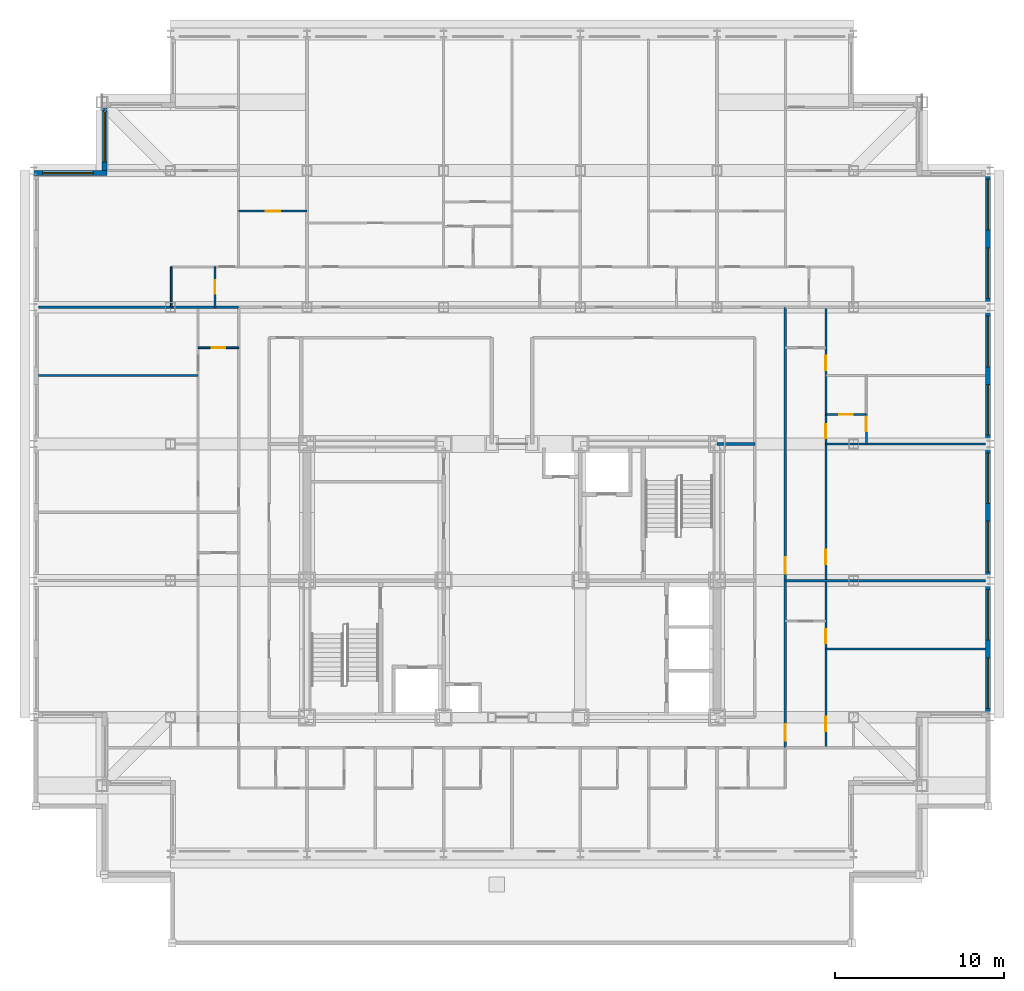
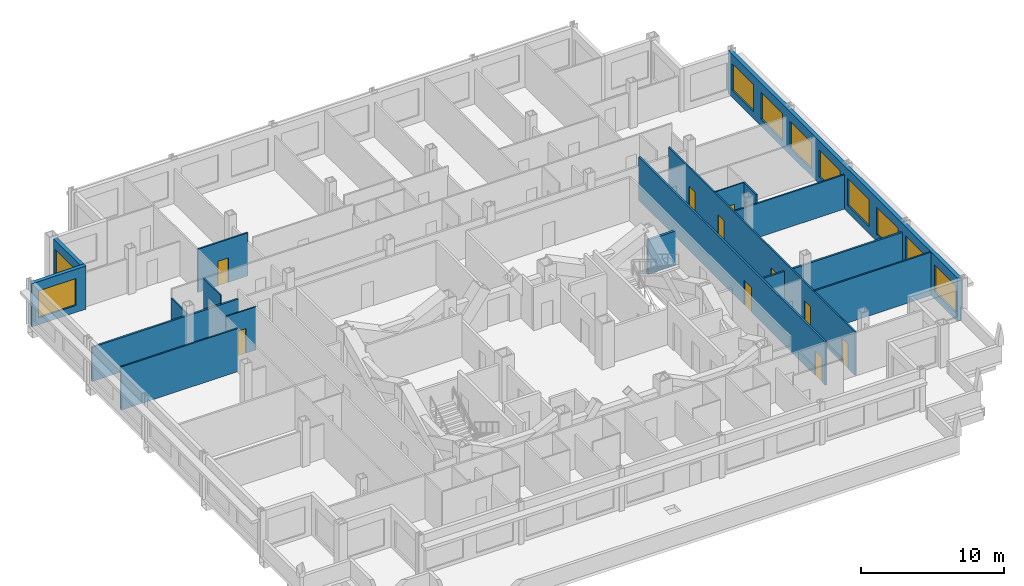
# One storey, part 11 of 15: 17 walls, 12 doors, 10 windows, 22 openings.
"""IFC4 building model written with IfcOpenShell, lengths in metres."""

from ifc_helpers import new_model, si_unit, direction, frame, frame_2d, origin, place, context, subcontext, project, spatial, rectangle, extrude, material, layer, layer_set, type_object, element, fill, save


model = new_model("IFC4")

# Units and contexts
model_context = context("Model", 3, precision=1e-05, world=origin(), true_north=direction((0.0, 1.0)))
body_context = subcontext(model_context, "Body", "Model", "MODEL_VIEW")
ifc_project = project(units=[si_unit("LENGTHUNIT", "METRE"), si_unit("AREAUNIT", "SQUARE_METRE"), si_unit("VOLUMEUNIT", "CUBIC_METRE"), si_unit("PLANEANGLEUNIT", "RADIAN"), si_unit("MASSUNIT", "GRAM", prefix="KILO")], contexts=[model_context])

# Site, building, storey
site_placement = place(None, origin())
site = spatial("IfcSite", under=ifc_project, at=site_placement, CompositionType="ELEMENT")
building_placement = place(site_placement, origin())
building = spatial("IfcBuilding", under=site, at=building_placement, Name="Kopane Lantern Tower", CompositionType="ELEMENT")
storey_placement = place(building_placement, frame((0.0, 0.0, 242.39990234375)))
storey = spatial("IfcBuildingStorey", under=building, at=storey_placement, Name="L62", CompositionType="ELEMENT", Elevation=242.39990234375)

# Wall
ifc_material_1 = material(Name="Gypsum board on steel studs", Category="steel")
ifc_layer_1 = layer(ifc_material_1, 0.1201171875)
ifc_layer_set_1 = layer_set([ifc_layer_1], Name="APARTMENT INTERNAL WALL 120")
wall_type_1 = type_object("IfcWallType", Name="APARTMENT INTERNAL WALL 120", PredefinedType="PARTITIONING", material=ifc_layer_set_1)
wall_1_placement = place(storey_placement, frame((9.75, 44.550048828125, 0.0), z_axis=(0.0, 0.0, 1.0), x_axis=(-1.0, 0.0, 0.0)))
element("IfcWall", 1, at=wall_1_placement, inside=storey, type_object=wall_type_1, Name="Apartment Internal Wall 120 L62", PredefinedType="PARTITIONING", context=body_context, shape_type="SweptSolid", body=[
    extrude(rectangle(XDim=9.449951171875, YDim=0.1201171875, at=frame_2d((4.72509765625, 0.0))), origin(), (0.0, 0.0, 1.0), 3.690185546875),
])

# Wall, openings, doors
wall_2_placement = place(storey_placement, frame((46.949951171875, 22.5, 0.0), z_axis=(0.0, 0.0, 1.0), x_axis=(0.0, 1.0, 0.0)))
wall_2 = element("IfcWall", 2, at=wall_2_placement, inside=storey, type_object=wall_type_1, Name="Apartment Internal Wall 120 L62", PredefinedType="PARTITIONING", context=body_context, shape_type="SweptSolid", body=[
    extrude(rectangle(XDim=26.10009765625, YDim=0.1201171875, at=frame_2d((13.050048828125, 0.0))), origin(), (0.0, 0.0, 1.0), 3.690185546875),
])
opening_1_placement = place(wall_2_placement, frame((0.97509765625, 0.0, 0.0)))
opening_1 = element("IfcOpeningElement", 3, at=opening_1_placement, cuts=wall_2, Name="Opening L62-039", PredefinedType="OPENING", context=body_context, shape_type="SweptSolid", body=[
    extrude(rectangle(XDim=0.85009765625, YDim=2.10009765625, at=frame_2d((0.425048828125, 1.050048828125))), frame((0.0, 0.070068359375, 0.0), z_axis=(0.0, -1.0, 0.0), x_axis=(1.0, 0.0, 0.0)), (0.0, 0.0, 1.0), 0.14013671875),
])
opening_2_placement = place(wall_2_placement, frame((6.175048828125, 0.0, 0.0)))
opening_2 = element("IfcOpeningElement", 4, at=opening_2_placement, cuts=wall_2, Name="Opening L62-040", PredefinedType="OPENING", context=body_context, shape_type="SweptSolid", body=[
    extrude(rectangle(XDim=0.85009765625, YDim=2.10009765625, at=frame_2d((0.425048828125, 1.050048828125))), frame((0.0, 0.070068359375, 0.0), z_axis=(0.0, -1.0, 0.0), x_axis=(1.0, 0.0, 0.0)), (0.0, 0.0, 1.0), 0.14013671875),
])
opening_3_placement = place(wall_2_placement, frame((10.875, 0.0, 0.0)))
opening_3 = element("IfcOpeningElement", 5, at=opening_3_placement, cuts=wall_2, Name="Opening L62-043", PredefinedType="OPENING", context=body_context, shape_type="SweptSolid", body=[
    extrude(rectangle(XDim=0.85009765625, YDim=2.10009765625, at=frame_2d((0.425048828125, 1.050048828125))), frame((0.0, 0.070068359375, 0.0), z_axis=(0.0, -1.0, 0.0), x_axis=(1.0, 0.0, 0.0)), (0.0, 0.0, 1.0), 0.14013671875),
])
opening_4_placement = place(wall_2_placement, frame((18.324951171875, 0.0, 0.0)))
opening_4 = element("IfcOpeningElement", 6, at=opening_4_placement, cuts=wall_2, Name="Opening L62-045", PredefinedType="OPENING", context=body_context, shape_type="SweptSolid", body=[
    extrude(rectangle(XDim=0.85009765625, YDim=2.10009765625, at=frame_2d((0.425048828125, 1.050048828125))), frame((0.0, 0.070068359375, 0.0), z_axis=(0.0, -1.0, 0.0), x_axis=(1.0, 0.0, 0.0)), (0.0, 0.0, 1.0), 0.14013671875),
])
opening_5_placement = place(wall_2_placement, frame((22.375, 0.0, 0.0)))
opening_5 = element("IfcOpeningElement", 7, at=opening_5_placement, cuts=wall_2, Name="Opening L62-046", PredefinedType="OPENING", context=body_context, shape_type="SweptSolid", body=[
    extrude(rectangle(XDim=0.85009765625, YDim=2.10009765625, at=frame_2d((0.425048828125, 1.050048828125))), frame((0.0, 0.070068359375, 0.0), z_axis=(0.0, -1.0, 0.0), x_axis=(1.0, 0.0, 0.0)), (0.0, 0.0, 1.0), 0.14013671875),
])
ifc_material_2 = material(Name="Timber door set", Category="wood")
door_type_1 = type_object("IfcDoorType", Name="DOOR D4 850x2100", OperationType="SINGLE_SWING_LEFT", PredefinedType="DOOR", material=ifc_material_2)
door_1_placement = place(opening_1_placement, origin())
door_1 = element("IfcDoor", 8, at=door_1_placement, inside=storey, type_object=door_type_1, Name="Door L62-039", OperationType="SINGLE_SWING_LEFT", OverallHeight=2.10009765625, OverallWidth=0.85009765625, PredefinedType="DOOR", context=body_context, shape_type="SweptSolid", body=[
    extrude(rectangle(XDim=0.85009765625, YDim=2.10009765625, at=frame_2d((0.425048828125, 1.050048828125))), frame((0.0, 0.02490234375, 0.0), z_axis=(0.0, -1.0, 0.0), x_axis=(1.0, 0.0, 0.0)), (0.0, 0.0, 1.0), 0.050048828125),
])
fill(opening_1, door_1)
door_2_placement = place(opening_2_placement, origin())
door_2 = element("IfcDoor", 9, at=door_2_placement, inside=storey, type_object=door_type_1, Name="Door L62-040", OperationType="SINGLE_SWING_RIGHT", OverallHeight=2.10009765625, OverallWidth=0.85009765625, PredefinedType="DOOR", context=body_context, shape_type="SweptSolid", body=[
    extrude(rectangle(XDim=0.85009765625, YDim=2.10009765625, at=frame_2d((0.425048828125, 1.050048828125))), frame((0.0, 0.02490234375, 0.0), z_axis=(0.0, -1.0, 0.0), x_axis=(1.0, 0.0, 0.0)), (0.0, 0.0, 1.0), 0.050048828125),
])
fill(opening_2, door_2)
door_3_placement = place(opening_3_placement, origin())
door_3 = element("IfcDoor", 10, at=door_3_placement, inside=storey, type_object=door_type_1, Name="Door L62-043", OperationType="SINGLE_SWING_RIGHT", OverallHeight=2.10009765625, OverallWidth=0.85009765625, PredefinedType="DOOR", context=body_context, shape_type="SweptSolid", body=[
    extrude(rectangle(XDim=0.85009765625, YDim=2.10009765625, at=frame_2d((0.425048828125, 1.050048828125))), frame((0.0, 0.02490234375, 0.0), z_axis=(0.0, -1.0, 0.0), x_axis=(1.0, 0.0, 0.0)), (0.0, 0.0, 1.0), 0.050048828125),
])
fill(opening_3, door_3)
door_4_placement = place(opening_4_placement, origin())
door_4 = element("IfcDoor", 11, at=door_4_placement, inside=storey, type_object=door_type_1, Name="Door L62-045", OperationType="SINGLE_SWING_RIGHT", OverallHeight=2.10009765625, OverallWidth=0.85009765625, PredefinedType="DOOR", context=body_context, shape_type="SweptSolid", body=[
    extrude(rectangle(XDim=0.85009765625, YDim=2.10009765625, at=frame_2d((0.425048828125, 1.050048828125))), frame((0.0, 0.02490234375, 0.0), z_axis=(0.0, -1.0, 0.0), x_axis=(1.0, 0.0, 0.0)), (0.0, 0.0, 1.0), 0.050048828125),
])
fill(opening_4, door_4)
door_5_placement = place(opening_5_placement, origin())
door_5 = element("IfcDoor", 12, at=door_5_placement, inside=storey, type_object=door_type_1, Name="Door L62-046", OperationType="SINGLE_SWING_RIGHT", OverallHeight=2.10009765625, OverallWidth=0.85009765625, PredefinedType="DOOR", context=body_context, shape_type="SweptSolid", body=[
    extrude(rectangle(XDim=0.85009765625, YDim=2.10009765625, at=frame_2d((0.425048828125, 1.050048828125))), frame((0.0, 0.02490234375, 0.0), z_axis=(0.0, -1.0, 0.0), x_axis=(1.0, 0.0, 0.0)), (0.0, 0.0, 1.0), 0.050048828125),
])
fill(opening_5, door_5)

# Walls
wall_3_placement = place(storey_placement, frame((46.949951171875, 28.35009765625, 0.0), z_axis=(0.0, 0.0, 1.0), x_axis=(1.0, 0.0, 0.0)))
element("IfcWall", 13, at=wall_3_placement, inside=storey, type_object=wall_type_1, Name="Apartment Internal Wall 120 L62", PredefinedType="PARTITIONING", context=body_context, shape_type="SweptSolid", body=[
    extrude(rectangle(XDim=9.449951171875, YDim=0.1201171875, at=frame_2d((4.72509765625, 0.0))), origin(), (0.0, 0.0, 1.0), 3.690185546875),
])
wall_4_placement = place(storey_placement, frame((46.949951171875, 40.5, 0.0), z_axis=(0.0, 0.0, 1.0), x_axis=(1.0, 0.0, 0.0)))
element("IfcWall", 14, at=wall_4_placement, inside=storey, type_object=wall_type_1, Name="Apartment Internal Wall 120 L62", PredefinedType="PARTITIONING", context=body_context, shape_type="SweptSolid", body=[
    extrude(rectangle(XDim=9.449951171875, YDim=0.1201171875, at=frame_2d((4.72509765625, 0.0))), origin(), (0.0, 0.0, 1.0), 2.927978515625),
])

# Wall, opening, door
wall_5_placement = place(storey_placement, frame((49.35009765625, 42.260009765625, 0.0), z_axis=(0.0, 0.0, 1.0), x_axis=(0.0, -1.0, 0.0)))
wall_5 = element("IfcWall", 15, at=wall_5_placement, inside=storey, type_object=wall_type_1, Name="Apartment Internal Wall 120 L62", PredefinedType="PARTITIONING", context=body_context, shape_type="SweptSolid", body=[
    extrude(rectangle(XDim=1.760009765625, YDim=0.1201171875, at=frame_2d((0.8798828125, 0.0))), origin(), (0.0, 0.0, 1.0), 3.690185546875),
])
opening_6_placement = place(wall_5_placement, frame((0.159912109375, 0.0, 0.0)))
opening_6 = element("IfcOpeningElement", 16, at=opening_6_placement, cuts=wall_5, Name="Opening L62-064", PredefinedType="OPENING", context=body_context, shape_type="SweptSolid", body=[
    extrude(rectangle(XDim=0.85009765625, YDim=2.10009765625, at=frame_2d((0.425048828125, 1.050048828125))), frame((0.0, 0.070068359375, 0.0), z_axis=(0.0, -1.0, 0.0), x_axis=(1.0, 0.0, 0.0)), (0.0, 0.0, 1.0), 0.14013671875),
])
door_6_placement = place(opening_6_placement, origin())
door_6 = element("IfcDoor", 17, at=door_6_placement, inside=storey, type_object=door_type_1, Name="Door L62-064", OperationType="SINGLE_SWING_RIGHT", OverallHeight=2.10009765625, OverallWidth=0.85009765625, PredefinedType="DOOR", context=body_context, shape_type="SweptSolid", body=[
    extrude(rectangle(XDim=0.85009765625, YDim=2.10009765625, at=frame_2d((0.425048828125, 1.050048828125))), frame((0.0, 0.02490234375, 0.0), z_axis=(0.0, -1.0, 0.0), x_axis=(1.0, 0.0, 0.0)), (0.0, 0.0, 1.0), 0.050048828125),
])
fill(opening_6, door_6)

wall_6_placement = place(storey_placement, frame((12.14990234375, 54.300048828125, 0.0), z_axis=(0.0, 0.0, 1.0), x_axis=(1.0, 0.0, 0.0)))
wall_6 = element("IfcWall", 18, at=wall_6_placement, inside=storey, type_object=wall_type_1, Name="Apartment Internal Wall 120 L62", PredefinedType="PARTITIONING", context=body_context, shape_type="SweptSolid", body=[
    extrude(rectangle(XDim=4.050048828125, YDim=0.1201171875, at=frame_2d((2.02490234375, 0.0))), origin(), (0.0, 0.0, 1.0), 3.690185546875),
])
opening_7_placement = place(wall_6_placement, frame((1.60009765625, 0.0, 0.0)))
opening_7 = element("IfcOpeningElement", 19, at=opening_7_placement, cuts=wall_6, Name="Opening L62-072", PredefinedType="OPENING", context=body_context, shape_type="SweptSolid", body=[
    extrude(rectangle(XDim=0.85009765625, YDim=2.10009765625, at=frame_2d((0.425048828125, 1.050048828125))), frame((0.0, 0.070068359375, 0.0), z_axis=(0.0, -1.0, 0.0), x_axis=(1.0, 0.0, 0.0)), (0.0, 0.0, 1.0), 0.14013671875),
])
door_7_placement = place(opening_7_placement, origin())
door_7 = element("IfcDoor", 20, at=door_7_placement, inside=storey, type_object=door_type_1, Name="Door L62-072", OperationType="SINGLE_SWING_RIGHT", OverallHeight=2.10009765625, OverallWidth=0.85009765625, PredefinedType="DOOR", context=body_context, shape_type="SweptSolid", body=[
    extrude(rectangle(XDim=0.85009765625, YDim=2.10009765625, at=frame_2d((0.425048828125, 1.050048828125))), frame((0.0, 0.02490234375, 0.0), z_axis=(0.0, -1.0, 0.0), x_axis=(1.0, 0.0, 0.0)), (0.0, 0.0, 1.0), 0.050048828125),
])
fill(opening_7, door_7)

ifc_material_3 = material(Name="Moisture-resistant board on steel studs", Category="steel")
ifc_layer_2 = layer(ifc_material_3, 0.10009765625)
ifc_layer_set_2 = layer_set([ifc_layer_2], Name="BATHROOM WALL 100")
wall_type_2 = type_object("IfcWallType", Name="BATHROOM WALL 100", PredefinedType="PARTITIONING", material=ifc_layer_set_2)
wall_7_placement = place(storey_placement, frame((12.14990234375, 46.199951171875, 0.0), z_axis=(0.0, 0.0, 1.0), x_axis=(-1.0, 0.0, 0.0)))
wall_7 = element("IfcWall", 21, at=wall_7_placement, inside=storey, type_object=wall_type_2, Name="Bathroom Wall 100 L62", PredefinedType="PARTITIONING", context=body_context, shape_type="SweptSolid", body=[
    extrude(rectangle(XDim=2.39990234375, YDim=0.10009765625, at=frame_2d((1.199951171875, 0.0))), origin(), (0.0, 0.0, 1.0), 3.690185546875),
])
opening_8_placement = place(wall_7_placement, frame((0.800048828125, 0.0, 0.0)))
opening_8 = element("IfcOpeningElement", 22, at=opening_8_placement, cuts=wall_7, Name="Opening L62-033", PredefinedType="OPENING", context=body_context, shape_type="SweptSolid", body=[
    extrude(rectangle(XDim=0.800048828125, YDim=2.10009765625, at=frame_2d((0.39990234375, 1.050048828125))), frame((0.0, 0.06005859375, 0.0), z_axis=(0.0, -1.0, 0.0), x_axis=(1.0, 0.0, 0.0)), (0.0, 0.0, 1.0), 0.1201171875),
])
ifc_material_4 = material(Name="Timber door set", Category="wood")
door_type_2 = type_object("IfcDoorType", Name="DOOR D2 800x2100", OperationType="SINGLE_SWING_LEFT", PredefinedType="DOOR", material=ifc_material_4)
door_8_placement = place(opening_8_placement, origin())
door_8 = element("IfcDoor", 23, at=door_8_placement, inside=storey, type_object=door_type_2, Name="Door L62-033", OperationType="SINGLE_SWING_RIGHT", OverallHeight=2.10009765625, OverallWidth=0.800048828125, PredefinedType="DOOR", context=body_context, shape_type="SweptSolid", body=[
    extrude(rectangle(XDim=0.800048828125, YDim=2.10009765625, at=frame_2d((0.39990234375, 1.050048828125))), frame((0.0, 0.02490234375, 0.0), z_axis=(0.0, -1.0, 0.0), x_axis=(1.0, 0.0, 0.0)), (0.0, 0.0, 1.0), 0.050048828125),
])
fill(opening_8, door_8)

wall_8_placement = place(storey_placement, frame((46.949951171875, 42.25, 0.0), z_axis=(0.0, 0.0, 1.0), x_axis=(1.0, 0.0, 0.0)))
wall_8 = element("IfcWall", 24, at=wall_8_placement, inside=storey, type_object=wall_type_2, Name="Bathroom Wall 100 L62", PredefinedType="PARTITIONING", context=body_context, shape_type="SweptSolid", body=[
    extrude(rectangle(XDim=2.400146484375, YDim=0.10009765625, at=frame_2d((1.2001953125, 0.0))), origin(), (0.0, 0.0, 1.0), 3.690185546875),
])
opening_9_placement = place(wall_8_placement, frame((0.800048828125, 0.0, 0.0)))
opening_9 = element("IfcOpeningElement", 25, at=opening_9_placement, cuts=wall_8, Name="Opening L62-044", PredefinedType="OPENING", context=body_context, shape_type="SweptSolid", body=[
    extrude(rectangle(XDim=0.800048828125, YDim=2.10009765625, at=frame_2d((0.39990234375, 1.050048828125))), frame((0.0, 0.06005859375, 0.0), z_axis=(0.0, -1.0, 0.0), x_axis=(1.0, 0.0, 0.0)), (0.0, 0.0, 1.0), 0.1201171875),
])
door_9_placement = place(opening_9_placement, origin())
door_9 = element("IfcDoor", 26, at=door_9_placement, inside=storey, type_object=door_type_2, Name="Door L62-044", OperationType="SINGLE_SWING_LEFT", OverallHeight=2.10009765625, OverallWidth=0.800048828125, PredefinedType="DOOR", context=body_context, shape_type="SweptSolid", body=[
    extrude(rectangle(XDim=0.800048828125, YDim=2.10009765625, at=frame_2d((0.39990234375, 1.050048828125))), frame((0.0, 0.02490234375, 0.0), z_axis=(0.0, -1.0, 0.0), x_axis=(1.0, 0.0, 0.0)), (0.0, 0.0, 1.0), 0.050048828125),
])
fill(opening_9, door_9)

wall_9_placement = place(storey_placement, frame((10.75, 48.60009765625, 0.0), z_axis=(0.0, 0.0, 1.0), x_axis=(0.0, 1.0, 0.0)))
wall_9 = element("IfcWall", 27, at=wall_9_placement, inside=storey, type_object=wall_type_2, Name="Bathroom Wall 100 L62", PredefinedType="PARTITIONING", context=body_context, shape_type="SweptSolid", body=[
    extrude(rectangle(XDim=2.39990234375, YDim=0.10009765625, at=frame_2d((1.199951171875, 0.0))), origin(), (0.0, 0.0, 1.0), 3.690185546875),
])
opening_10_placement = place(wall_9_placement, frame((0.800048828125, 0.0, 0.0)))
opening_10 = element("IfcOpeningElement", 28, at=opening_10_placement, cuts=wall_9, Name="Opening L62-060", PredefinedType="OPENING", context=body_context, shape_type="SweptSolid", body=[
    extrude(rectangle(XDim=0.800048828125, YDim=2.10009765625, at=frame_2d((0.39990234375, 1.050048828125))), frame((0.0, 0.06005859375, 0.0), z_axis=(0.0, -1.0, 0.0), x_axis=(1.0, 0.0, 0.0)), (0.0, 0.0, 1.0), 0.1201171875),
])
door_10_placement = place(opening_10_placement, origin())
door_10 = element("IfcDoor", 29, at=door_10_placement, inside=storey, type_object=door_type_2, Name="Door L62-060", OperationType="SINGLE_SWING_LEFT", OverallHeight=2.10009765625, OverallWidth=0.800048828125, PredefinedType="DOOR", context=body_context, shape_type="SweptSolid", body=[
    extrude(rectangle(XDim=0.800048828125, YDim=2.10009765625, at=frame_2d((0.39990234375, 1.050048828125))), frame((0.0, 0.02490234375, 0.0), z_axis=(0.0, -1.0, 0.0), x_axis=(1.0, 0.0, 0.0)), (0.0, 0.0, 1.0), 0.050048828125),
])
fill(opening_10, door_10)

# Wall
wall_10_placement = place(storey_placement, frame((8.14990234375, 48.60009765625, 0.0), z_axis=(0.0, 0.0, 1.0), x_axis=(0.0, 1.0, 0.0)))
element("IfcWall", 30, at=wall_10_placement, inside=storey, type_object=wall_type_2, Name="Bathroom Wall 100 L62", PredefinedType="PARTITIONING", context=body_context, shape_type="SweptSolid", body=[
    extrude(rectangle(XDim=2.39990234375, YDim=0.10009765625, at=frame_2d((1.199951171875, 0.0))), origin(), (0.0, 0.0, 1.0), 2.927978515625),
])

# Wall, openings, doors
ifc_material_5 = material(Name="Gypsum board on steel studs", Category="steel")
ifc_layer_3 = layer(ifc_material_5, 0.14990234375)
ifc_layer_set_3 = layer_set([ifc_layer_3], Name="CORRIDOR WALL 150 EI 60")
wall_type_3 = type_object("IfcWallType", Name="CORRIDOR WALL 150 EI 60", PredefinedType="PARTITIONING", material=ifc_layer_set_3)
wall_11_placement = place(storey_placement, frame((44.550048828125, 22.5, 0.0), z_axis=(0.0, 0.0, 1.0), x_axis=(0.0, 1.0, 0.0)))
wall_11 = element("IfcWall", 31, at=wall_11_placement, inside=storey, type_object=wall_type_3, Name="Corridor Wall 150 Ei 60 L62", PredefinedType="PARTITIONING", context=body_context, shape_type="SweptSolid", body=[
    extrude(rectangle(XDim=26.10009765625, YDim=0.14990234375, at=frame_2d((13.050048828125, 0.0))), origin(), (0.0, 0.0, 1.0), 3.690185546875),
])
opening_11_placement = place(wall_11_placement, frame((0.39990234375, 0.0, 0.0)))
opening_11 = element("IfcOpeningElement", 32, at=opening_11_placement, cuts=wall_11, Name="Opening L62-038", PredefinedType="OPENING", context=body_context, shape_type="SweptSolid", body=[
    extrude(rectangle(XDim=1.0, YDim=2.10009765625, at=frame_2d((0.5, 1.050048828125))), frame((0.0, 0.0849609375, 0.0), z_axis=(0.0, -1.0, 0.0), x_axis=(1.0, 0.0, 0.0)), (0.0, 0.0, 1.0), 0.169921875),
])
opening_12_placement = place(wall_11_placement, frame((10.300048828125, 0.0, 0.0)))
opening_12 = element("IfcOpeningElement", 33, at=opening_12_placement, cuts=wall_11, Name="Opening L62-042", PredefinedType="OPENING", context=body_context, shape_type="SweptSolid", body=[
    extrude(rectangle(XDim=1.0, YDim=2.10009765625, at=frame_2d((0.5, 1.050048828125))), frame((0.0, 0.0849609375, 0.0), z_axis=(0.0, -1.0, 0.0), x_axis=(1.0, 0.0, 0.0)), (0.0, 0.0, 1.0), 0.169921875),
])
ifc_material_6 = material(Name="Steel door set", Category="steel")
door_type_3 = type_object("IfcDoorType", Name="DOOR D3 1000x2100 FD30S", OperationType="SINGLE_SWING_LEFT", PredefinedType="DOOR", material=ifc_material_6)
door_11_placement = place(opening_11_placement, origin())
door_11 = element("IfcDoor", 34, at=door_11_placement, inside=storey, type_object=door_type_3, Name="Door L62-038", OperationType="SINGLE_SWING_RIGHT", OverallHeight=2.10009765625, OverallWidth=1.0, PredefinedType="DOOR", context=body_context, shape_type="SweptSolid", body=[
    extrude(rectangle(XDim=1.0, YDim=2.10009765625, at=frame_2d((0.5, 1.050048828125))), frame((0.0, 0.02490234375, 0.0), z_axis=(0.0, -1.0, 0.0), x_axis=(1.0, 0.0, 0.0)), (0.0, 0.0, 1.0), 0.050048828125),
])
fill(opening_11, door_11)
door_12_placement = place(opening_12_placement, origin())
door_12 = element("IfcDoor", 35, at=door_12_placement, inside=storey, type_object=door_type_3, Name="Door L62-042", OperationType="SINGLE_SWING_RIGHT", OverallHeight=2.10009765625, OverallWidth=1.0, PredefinedType="DOOR", context=body_context, shape_type="SweptSolid", body=[
    extrude(rectangle(XDim=1.0, YDim=2.10009765625, at=frame_2d((0.5, 1.050048828125))), frame((0.0, 0.02490234375, 0.0), z_axis=(0.0, -1.0, 0.0), x_axis=(1.0, 0.0, 0.0)), (0.0, 0.0, 1.0), 0.050048828125),
])
fill(opening_12, door_12)

# Walls
ifc_material_7 = material(Name="Gypsum board on steel studs", Category="steel")
ifc_layer_4 = layer(ifc_material_7, 0.14990234375)
ifc_layer_set_4 = layer_set([ifc_layer_4], Name="DEMISING WALL 150 EI 60")
wall_type_4 = type_object("IfcWallType", Name="DEMISING WALL 150 EI 60", PredefinedType="PARTITIONING", material=ifc_layer_set_4)
for number, where, z_axis, x_axis, name in (
    (36, (44.550048828125, 32.39990234375, 0.0), (0.0, 0.0, 1.0), (1.0, 0.0, 0.0), "Demising Wall 150 Ei 60 L62"),
    (37, (0.300048828125, 48.60009765625, 0.0), (0.0, 0.0, 1.0), (1.0, 0.0, 0.0), "Demising Wall 150 Ei 60 L62"),
):
    element("IfcWall", number, at=place(storey_placement, frame(where, z_axis=z_axis, x_axis=x_axis)), inside=storey, type_object=wall_type_4, Name=name, PredefinedType="PARTITIONING", context=body_context, shape_type="SweptSolid", body=[
        extrude(rectangle(XDim=11.849853515625, YDim=0.14990234375, at=frame_2d((5.9248046875, 0.0))), origin(), (0.0, 0.0, 1.0), 2.927978515625),
    ])

# Wall, openings, windows
ifc_material_8 = material(Name="Terracotta rainscreen on light steel framing", Category="masonry")
ifc_layer_5 = layer(ifc_material_8, 0.300048828125)
ifc_layer_set_5 = layer_set([ifc_layer_5], Name="EXTERNAL WALL EW1 300 TERRACOTTA")
wall_type_5 = type_object("IfcWallType", Name="EXTERNAL WALL EW1 300 TERRACOTTA", PredefinedType="SOLIDWALL", material=ifc_layer_set_5)
wall_12_placement = place(storey_placement, frame((56.550048828125, 24.60009765625, 0.0), z_axis=(0.0, 0.0, 1.0), x_axis=(0.0, 1.0, 0.0)))
wall_12 = element("IfcWall", 38, at=wall_12_placement, inside=storey, type_object=wall_type_5, Name="External wall E L62", PredefinedType="SOLIDWALL", context=body_context, shape_type="SweptSolid", body=[
    extrude(rectangle(XDim=32.099853515625, YDim=0.300048828125, at=frame_2d((16.0498046875, 0.0))), origin(), (0.0, 0.0, 1.0), 3.690185546875),
])
opening_13_placement = place(wall_12_placement, frame((0.22509765625, 0.0, 0.60009765625)))
opening_13 = element("IfcOpeningElement", 39, at=opening_13_placement, cuts=wall_12, Name="Opening WR300230", PredefinedType="OPENING", context=body_context, shape_type="SweptSolid", body=[
    extrude(rectangle(XDim=3.0, YDim=2.300048828125, at=frame_2d((1.5, 1.14990234375))), frame((0.0, 0.159912109375, 0.0), z_axis=(0.0, -1.0, 0.0), x_axis=(1.0, 0.0, 0.0)), (0.0, 0.0, 1.0), 0.320068359375),
])
opening_14_placement = place(wall_12_placement, frame((4.27490234375, 0.0, 0.60009765625)))
opening_14 = element("IfcOpeningElement", 40, at=opening_14_placement, cuts=wall_12, Name="Opening WR300230", PredefinedType="OPENING", context=body_context, shape_type="SweptSolid", body=[
    extrude(rectangle(XDim=3.0, YDim=2.300048828125, at=frame_2d((1.5, 1.14990234375))), frame((0.0, 0.159912109375, 0.0), z_axis=(0.0, -1.0, 0.0), x_axis=(1.0, 0.0, 0.0)), (0.0, 0.0, 1.0), 0.320068359375),
])
opening_15_placement = place(wall_12_placement, frame((8.324951171875, 0.0, 0.60009765625)))
opening_15 = element("IfcOpeningElement", 41, at=opening_15_placement, cuts=wall_12, Name="Opening WR300230", PredefinedType="OPENING", context=body_context, shape_type="SweptSolid", body=[
    extrude(rectangle(XDim=3.0, YDim=2.300048828125, at=frame_2d((1.5, 1.14990234375))), frame((0.0, 0.159912109375, 0.0), z_axis=(0.0, -1.0, 0.0), x_axis=(1.0, 0.0, 0.0)), (0.0, 0.0, 1.0), 0.320068359375),
])
opening_16_placement = place(wall_12_placement, frame((12.375, 0.0, 0.60009765625)))
opening_16 = element("IfcOpeningElement", 42, at=opening_16_placement, cuts=wall_12, Name="Opening WR300230", PredefinedType="OPENING", context=body_context, shape_type="SweptSolid", body=[
    extrude(rectangle(XDim=3.0, YDim=2.300048828125, at=frame_2d((1.5, 1.14990234375))), frame((0.0, 0.159912109375, 0.0), z_axis=(0.0, -1.0, 0.0), x_axis=(1.0, 0.0, 0.0)), (0.0, 0.0, 1.0), 0.320068359375),
])
opening_17_placement = place(wall_12_placement, frame((16.425048828125, 0.0, 0.60009765625)))
opening_17 = element("IfcOpeningElement", 43, at=opening_17_placement, cuts=wall_12, Name="Opening WR300230", PredefinedType="OPENING", context=body_context, shape_type="SweptSolid", body=[
    extrude(rectangle(XDim=3.0, YDim=2.300048828125, at=frame_2d((1.5, 1.14990234375))), frame((0.0, 0.159912109375, 0.0), z_axis=(0.0, -1.0, 0.0), x_axis=(1.0, 0.0, 0.0)), (0.0, 0.0, 1.0), 0.320068359375),
])
opening_18_placement = place(wall_12_placement, frame((20.47509765625, 0.0, 0.60009765625)))
opening_18 = element("IfcOpeningElement", 44, at=opening_18_placement, cuts=wall_12, Name="Opening WR300230", PredefinedType="OPENING", context=body_context, shape_type="SweptSolid", body=[
    extrude(rectangle(XDim=3.0, YDim=2.300048828125, at=frame_2d((1.5, 1.14990234375))), frame((0.0, 0.159912109375, 0.0), z_axis=(0.0, -1.0, 0.0), x_axis=(1.0, 0.0, 0.0)), (0.0, 0.0, 1.0), 0.320068359375),
])
opening_19_placement = place(wall_12_placement, frame((24.52490234375, 0.0, 0.60009765625)))
opening_19 = element("IfcOpeningElement", 45, at=opening_19_placement, cuts=wall_12, Name="Opening WR300230", PredefinedType="OPENING", context=body_context, shape_type="SweptSolid", body=[
    extrude(rectangle(XDim=3.0, YDim=2.300048828125, at=frame_2d((1.5, 1.14990234375))), frame((0.0, 0.159912109375, 0.0), z_axis=(0.0, -1.0, 0.0), x_axis=(1.0, 0.0, 0.0)), (0.0, 0.0, 1.0), 0.320068359375),
])
opening_20_placement = place(wall_12_placement, frame((28.574951171875, 0.0, 0.60009765625)))
opening_20 = element("IfcOpeningElement", 46, at=opening_20_placement, cuts=wall_12, Name="Opening WR300230", PredefinedType="OPENING", context=body_context, shape_type="SweptSolid", body=[
    extrude(rectangle(XDim=3.0, YDim=2.300048828125, at=frame_2d((1.5, 1.14990234375))), frame((0.0, 0.159912109375, 0.0), z_axis=(0.0, -1.0, 0.0), x_axis=(1.0, 0.0, 0.0)), (0.0, 0.0, 1.0), 0.320068359375),
])
ifc_material_9 = material(Name="Aluminium and clear glass", Category="aluminium")
window_type = type_object("IfcWindowType", Name="RIBBON WINDOW WR300230 3000x2300", PartitioningType="SINGLE_PANEL", PredefinedType="WINDOW", material=ifc_material_9)
window_1_placement = place(opening_13_placement, origin())
window_1 = element("IfcWindow", 47, at=window_1_placement, inside=storey, type_object=window_type, Name="Window E L62", OverallHeight=2.300048828125, OverallWidth=3.0, PartitioningType="SINGLE_PANEL", PredefinedType="WINDOW", context=body_context, shape_type="SweptSolid", body=[
    extrude(rectangle(XDim=3.0, YDim=2.300048828125, at=frame_2d((1.5, 1.14990234375))), frame((0.0, 0.030029296875, 0.0), z_axis=(0.0, -1.0, 0.0), x_axis=(1.0, 0.0, 0.0)), (0.0, 0.0, 1.0), 0.06005859375),
])
fill(opening_13, window_1)
window_2_placement = place(opening_14_placement, origin())
window_2 = element("IfcWindow", 48, at=window_2_placement, inside=storey, type_object=window_type, Name="Window E L62", OverallHeight=2.300048828125, OverallWidth=3.0, PartitioningType="SINGLE_PANEL", PredefinedType="WINDOW", context=body_context, shape_type="SweptSolid", body=[
    extrude(rectangle(XDim=3.0, YDim=2.300048828125, at=frame_2d((1.5, 1.14990234375))), frame((0.0, 0.030029296875, 0.0), z_axis=(0.0, -1.0, 0.0), x_axis=(1.0, 0.0, 0.0)), (0.0, 0.0, 1.0), 0.06005859375),
])
fill(opening_14, window_2)
window_3_placement = place(opening_15_placement, origin())
window_3 = element("IfcWindow", 49, at=window_3_placement, inside=storey, type_object=window_type, Name="Window E L62", OverallHeight=2.300048828125, OverallWidth=3.0, PartitioningType="SINGLE_PANEL", PredefinedType="WINDOW", context=body_context, shape_type="SweptSolid", body=[
    extrude(rectangle(XDim=3.0, YDim=2.300048828125, at=frame_2d((1.5, 1.14990234375))), frame((0.0, 0.030029296875, 0.0), z_axis=(0.0, -1.0, 0.0), x_axis=(1.0, 0.0, 0.0)), (0.0, 0.0, 1.0), 0.06005859375),
])
fill(opening_15, window_3)
window_4_placement = place(opening_16_placement, origin())
window_4 = element("IfcWindow", 50, at=window_4_placement, inside=storey, type_object=window_type, Name="Window E L62", OverallHeight=2.300048828125, OverallWidth=3.0, PartitioningType="SINGLE_PANEL", PredefinedType="WINDOW", context=body_context, shape_type="SweptSolid", body=[
    extrude(rectangle(XDim=3.0, YDim=2.300048828125, at=frame_2d((1.5, 1.14990234375))), frame((0.0, 0.030029296875, 0.0), z_axis=(0.0, -1.0, 0.0), x_axis=(1.0, 0.0, 0.0)), (0.0, 0.0, 1.0), 0.06005859375),
])
fill(opening_16, window_4)
window_5_placement = place(opening_17_placement, origin())
window_5 = element("IfcWindow", 51, at=window_5_placement, inside=storey, type_object=window_type, Name="Window E L62", OverallHeight=2.300048828125, OverallWidth=3.0, PartitioningType="SINGLE_PANEL", PredefinedType="WINDOW", context=body_context, shape_type="SweptSolid", body=[
    extrude(rectangle(XDim=3.0, YDim=2.300048828125, at=frame_2d((1.5, 1.14990234375))), frame((0.0, 0.030029296875, 0.0), z_axis=(0.0, -1.0, 0.0), x_axis=(1.0, 0.0, 0.0)), (0.0, 0.0, 1.0), 0.06005859375),
])
fill(opening_17, window_5)
window_6_placement = place(opening_18_placement, origin())
window_6 = element("IfcWindow", 52, at=window_6_placement, inside=storey, type_object=window_type, Name="Window E L62", OverallHeight=2.300048828125, OverallWidth=3.0, PartitioningType="SINGLE_PANEL", PredefinedType="WINDOW", context=body_context, shape_type="SweptSolid", body=[
    extrude(rectangle(XDim=3.0, YDim=2.300048828125, at=frame_2d((1.5, 1.14990234375))), frame((0.0, 0.030029296875, 0.0), z_axis=(0.0, -1.0, 0.0), x_axis=(1.0, 0.0, 0.0)), (0.0, 0.0, 1.0), 0.06005859375),
])
fill(opening_18, window_6)
window_7_placement = place(opening_19_placement, origin())
window_7 = element("IfcWindow", 53, at=window_7_placement, inside=storey, type_object=window_type, Name="Window E L62", OverallHeight=2.300048828125, OverallWidth=3.0, PartitioningType="SINGLE_PANEL", PredefinedType="WINDOW", context=body_context, shape_type="SweptSolid", body=[
    extrude(rectangle(XDim=3.0, YDim=2.300048828125, at=frame_2d((1.5, 1.14990234375))), frame((0.0, 0.030029296875, 0.0), z_axis=(0.0, -1.0, 0.0), x_axis=(1.0, 0.0, 0.0)), (0.0, 0.0, 1.0), 0.06005859375),
])
fill(opening_19, window_7)
window_8_placement = place(opening_20_placement, origin())
window_8 = element("IfcWindow", 54, at=window_8_placement, inside=storey, type_object=window_type, Name="Window E L62", OverallHeight=2.300048828125, OverallWidth=3.0, PartitioningType="SINGLE_PANEL", PredefinedType="WINDOW", context=body_context, shape_type="SweptSolid", body=[
    extrude(rectangle(XDim=3.0, YDim=2.300048828125, at=frame_2d((1.5, 1.14990234375))), frame((0.0, 0.030029296875, 0.0), z_axis=(0.0, -1.0, 0.0), x_axis=(1.0, 0.0, 0.0)), (0.0, 0.0, 1.0), 0.06005859375),
])
fill(opening_20, window_8)

# Wall, opening, window
wall_13_placement = place(storey_placement, frame((4.199951171875, 60.449951171875, 0.0), z_axis=(0.0, 0.0, 1.0), x_axis=(0.0, -1.0, 0.0)))
wall_13 = element("IfcWall", 55, at=wall_13_placement, inside=storey, type_object=wall_type_5, Name="External wall W L62", PredefinedType="SOLIDWALL", context=body_context, shape_type="SweptSolid", body=[
    extrude(rectangle(XDim=3.75, YDim=0.300048828125, at=frame_2d((1.875, 0.0))), origin(), (0.0, 0.0, 1.0), 3.690185546875),
])
opening_21_placement = place(wall_13_placement, frame((0.22509765625, 0.0, 0.60009765625)))
opening_21 = element("IfcOpeningElement", 56, at=opening_21_placement, cuts=wall_13, Name="Opening WR300230", PredefinedType="OPENING", context=body_context, shape_type="SweptSolid", body=[
    extrude(rectangle(XDim=3.0, YDim=2.300048828125, at=frame_2d((1.5, 1.14990234375))), frame((0.0, 0.159912109375, 0.0), z_axis=(0.0, -1.0, 0.0), x_axis=(1.0, 0.0, 0.0)), (0.0, 0.0, 1.0), 0.320068359375),
])
window_9_placement = place(opening_21_placement, origin())
window_9 = element("IfcWindow", 57, at=window_9_placement, inside=storey, type_object=window_type, Name="Window W L62", OverallHeight=2.300048828125, OverallWidth=3.0, PartitioningType="SINGLE_PANEL", PredefinedType="WINDOW", context=body_context, shape_type="SweptSolid", body=[
    extrude(rectangle(XDim=3.0, YDim=2.300048828125, at=frame_2d((1.5, 1.14990234375))), frame((0.0, 0.030029296875, 0.0), z_axis=(0.0, -1.0, 0.0), x_axis=(1.0, 0.0, 0.0)), (0.0, 0.0, 1.0), 0.06005859375),
])
fill(opening_21, window_9)

wall_14_placement = place(storey_placement, frame((4.35009765625, 56.550048828125, 0.0), z_axis=(0.0, 0.0, 1.0), x_axis=(-1.0, 0.0, 0.0)))
wall_14 = element("IfcWall", 58, at=wall_14_placement, inside=storey, type_object=wall_type_5, Name="External wall N L62", PredefinedType="SOLIDWALL", context=body_context, shape_type="SweptSolid", body=[
    extrude(rectangle(XDim=4.35009765625, YDim=0.300048828125, at=frame_2d((2.175048828125, 0.0))), origin(), (0.0, 0.0, 1.0), 3.690185546875),
])
opening_22_placement = place(wall_14_placement, frame((0.824951171875, 0.0, 0.60009765625)))
opening_22 = element("IfcOpeningElement", 59, at=opening_22_placement, cuts=wall_14, Name="Opening WR300230", PredefinedType="OPENING", context=body_context, shape_type="SweptSolid", body=[
    extrude(rectangle(XDim=3.0, YDim=2.300048828125, at=frame_2d((1.5, 1.14990234375))), frame((0.0, 0.159912109375, 0.0), z_axis=(0.0, -1.0, 0.0), x_axis=(1.0, 0.0, 0.0)), (0.0, 0.0, 1.0), 0.320068359375),
])
window_10_placement = place(opening_22_placement, origin())
window_10 = element("IfcWindow", 60, at=window_10_placement, inside=storey, type_object=window_type, Name="Window N L62", OverallHeight=2.300048828125, OverallWidth=3.0, PartitioningType="SINGLE_PANEL", PredefinedType="WINDOW", context=body_context, shape_type="SweptSolid", body=[
    extrude(rectangle(XDim=3.0, YDim=2.300048828125, at=frame_2d((1.5, 1.14990234375))), frame((0.0, 0.030029296875, 0.0), z_axis=(0.0, -1.0, 0.0), x_axis=(1.0, 0.0, 0.0)), (0.0, 0.0, 1.0), 0.06005859375),
])
fill(opening_22, window_10)

# Wall
ifc_material_10 = material(Name="Concrete masonry", Category="masonry")
ifc_layer_6 = layer(ifc_material_10, 0.199951171875)
ifc_layer_set_6 = layer_set([ifc_layer_6], Name="PLANT ROOM WALL 200 EI 120")
wall_type_6 = type_object("IfcWallType", Name="PLANT ROOM WALL 200 EI 120", PredefinedType="SOLIDWALL", material=ifc_layer_set_6)
wall_15_placement = place(storey_placement, frame((40.5, 40.5, 0.0), z_axis=(0.0, 0.0, 1.0), x_axis=(1.0, 0.0, 0.0)))
element("IfcWall", 61, at=wall_15_placement, inside=storey, type_object=wall_type_6, Name="Plant Room Wall 200 Ei 120 L62", PredefinedType="SOLIDWALL", context=body_context, shape_type="SweptSolid", body=[
    extrude(rectangle(XDim=2.25, YDim=0.199951171875, at=frame_2d((1.125, 0.0))), origin(), (0.0, 0.0, 1.0), 2.927978515625),
])

save(model, "model.ifc")
